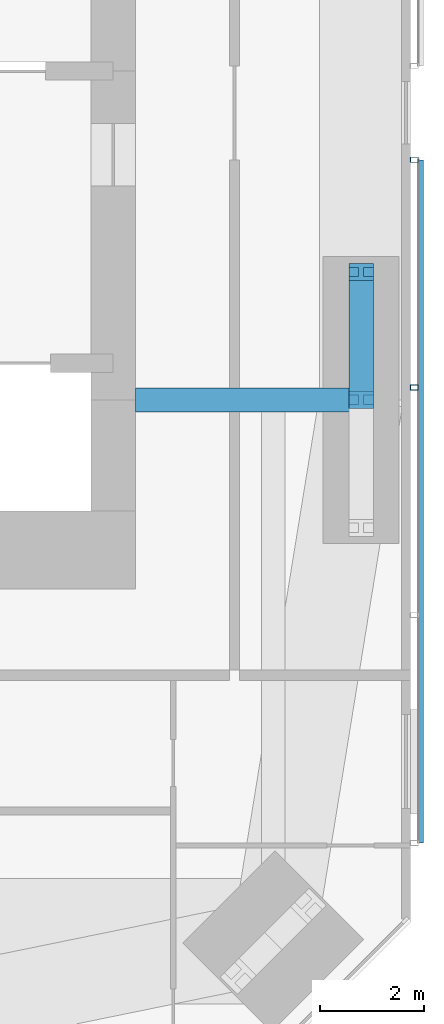
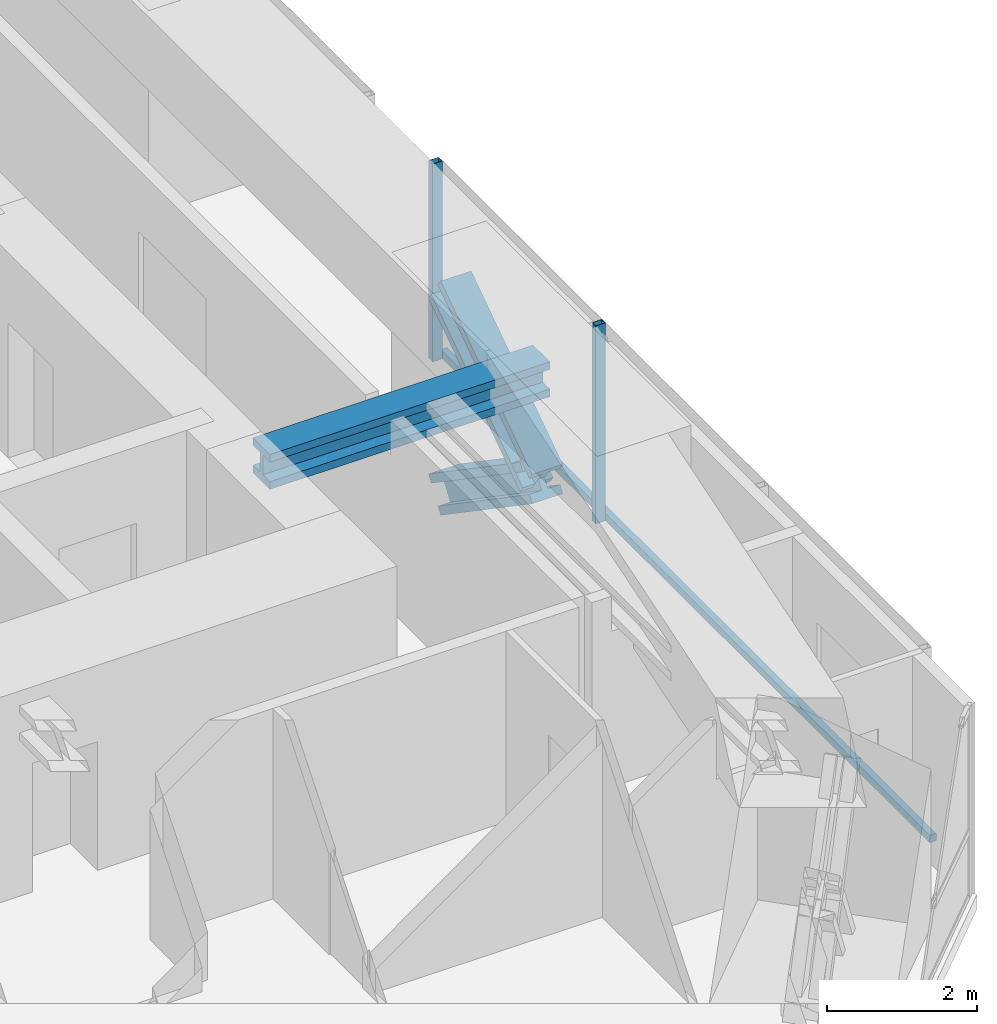
# One storey, part 9 of 24: 5 members, 1 beam, 1 element without a shape of its own.
"""IFC4 building model written with IfcOpenShell, lengths in metres."""

from ifc_helpers import new_model, si_unit, direction, frame, origin, origin_2d, place, context, subcontext, project, spatial, rectangle, hollow_rectangle, i_section, extrude, material, material_profile, profile_set, type_object, element, aggregate, save


model = new_model("IFC4")

# Units and contexts
model_context = context("Model", 3, precision=1e-05, world=origin(), true_north=direction((0.0, 1.0)))
body_context = subcontext(model_context, "Body", "Model", "MODEL_VIEW")
ifc_project = project(units=[si_unit("LENGTHUNIT", "METRE"), si_unit("AREAUNIT", "SQUARE_METRE"), si_unit("VOLUMEUNIT", "CUBIC_METRE"), si_unit("PLANEANGLEUNIT", "RADIAN"), si_unit("MASSUNIT", "GRAM", prefix="KILO")], contexts=[model_context])

# Site, building, storey
site_placement = place(None, origin())
site = spatial("IfcSite", under=ifc_project, at=site_placement, CompositionType="ELEMENT")
building_placement = place(site_placement, origin())
building = spatial("IfcBuilding", under=site, at=building_placement, Name="Jalousie Tower", CompositionType="ELEMENT")
storey_placement = place(building_placement, frame((0.0, 0.0, 124.949951171875)))
storey = spatial("IfcBuildingStorey", under=building, at=storey_placement, Name="L34", CompositionType="ELEMENT", Elevation=124.949951171875)

# Beam
ifc_material_1 = material(Name="Steel ASTM A992 Grade 50", Category="steel")
ifc_material_profile_1 = material_profile(ifc_material_1, i_section(OverallWidth=0.45458984375, OverallDepth=0.569091796875, WebThickness=0.077880859375, FlangeThickness=0.124755859375, at=origin_2d()), Name="W14X730")
ifc_profile_set_1 = profile_set([ifc_material_profile_1], Name="Steel ASTM A992 Grade 50")
beam_type = type_object("IfcBeamType", Name="LEAN COLLECTOR W14X730", PredefinedType="BEAM", material=ifc_profile_set_1)
beam_placement = place(storey_placement, frame((48.550048828125, 13.0, 2.825439453125), z_axis=(-1.0, 0.0, 0.0), x_axis=(0.0, -1.0, 0.0)))
element("IfcBeam", 1, at=beam_placement, inside=storey, type_object=beam_type, Name="Lean collector under L35", PredefinedType="BEAM", context=body_context, shape_type="SweptSolid", body=[
    extrude(i_section(OverallWidth=0.45458984375, OverallDepth=0.569091796875, WebThickness=0.077880859375, FlangeThickness=0.124755859375, at=origin_2d()), origin(), (0.0, 0.0, 1.0), 4.324951171875),
])

# Members
ifc_material_2 = material(Name="Steel ASTM A992 Grade 50", Category="steel")
ifc_material_profile_2 = material_profile(ifc_material_2, i_section(OverallWidth=0.472412109375, OverallDepth=0.5791015625, WebThickness=0.094970703125, FlangeThickness=0.1298828125, at=origin_2d()), Name="W14X808")
ifc_profile_set_2 = profile_set([ifc_material_profile_2], Name="Steel ASTM A992 Grade 50")
member_type_1 = type_object("IfcMemberType", Name="PERIMETER BRACE W14X808", PredefinedType="BRACE", material=ifc_profile_set_2)
for number, where, z_axis, x_axis, name in (
    (2, (48.550048828125, 13.0, 1.074951171875), (0.0, 0.825500916831, 0.564400776321), (-1.0, 0.0, 0.0), "Perimeter brace 06 L34 part 2"),
    (3, (48.550048828125, 15.449951171875, -0.599853515625), (0.0, -0.825539243753, 0.564344714713), (1.0, 0.0, 0.0), "Perimeter brace 06 L34 part 3"),
):
    element("IfcMember", number, at=place(storey_placement, frame(where, z_axis=z_axis, x_axis=x_axis)), inside=storey, type_object=member_type_1, Name=name, PredefinedType="BRACE", context=body_context, shape_type="SweptSolid", body=[
        extrude(i_section(OverallWidth=0.472412109375, OverallDepth=0.5791015625, WebThickness=0.094970703125, FlangeThickness=0.1298828125, at=origin_2d()), origin(), (0.0, 0.0, 1.0), 2.9677734375),
    ])

# Curtain wall, members
ifc_material_3 = material(Name="Perforated aluminium sheet", Category="aluminium")
curtain_wall_type = type_object("IfcCurtainWallType", Name="SOLAR SCREEN SS-1", PredefinedType="USERDEFINED", material=ifc_material_3)
curtain_wall_placement = place(storey_placement, origin())
curtain_wall = element("IfcCurtainWall", 4, at=curtain_wall_placement, inside=storey, type_object=curtain_wall_type, Name="Solar screen L34", ObjectType="SOLAR SCREEN SS-1", PredefinedType="USERDEFINED")
ifc_material_4 = material(Name="Steel ASTM A500 Grade C", Category="steel")
ifc_material_profile_3 = material_profile(ifc_material_4, hollow_rectangle(XDim=0.1015625, YDim=0.15234375, WallThickness=0.00634765625, at=origin_2d()), Name="HSS6X4X1/4")
ifc_profile_set_3 = profile_set([ifc_material_profile_3], Name="Steel ASTM A500 Grade C")
member_type_2 = type_object("IfcMemberType", Name="SOLAR SCREEN SS-1 MULLION", PredefinedType="MULLION", material=ifc_profile_set_3)
member_1_placement = place(storey_placement, frame((49.5712890625, 13.23779296875, -0.119873046875), z_axis=(0.0, 0.0, 1.0), x_axis=(0.0, 1.0, 0.0)))
member_1 = element("IfcMember", 5, at=member_1_placement, type_object=member_type_2, Name="SS1 post 3", PredefinedType="MULLION", context=body_context, shape_type="SweptSolid", body=[
    extrude(hollow_rectangle(XDim=0.1015625, YDim=0.15234375, WallThickness=0.00634765625, at=origin_2d()), origin(), (0.0, 0.0, 1.0), 3.22998046875),
])
member_2_placement = place(storey_placement, frame((49.5712890625, 17.60009765625, -0.119873046875), z_axis=(0.0, 0.0, 1.0), x_axis=(0.0, 1.0, 0.0)))
member_2 = element("IfcMember", 6, at=member_2_placement, type_object=member_type_2, Name="SS1 post 4", PredefinedType="MULLION", context=body_context, shape_type="SweptSolid", body=[
    extrude(hollow_rectangle(XDim=0.1015625, YDim=0.15234375, WallThickness=0.00634765625, at=origin_2d()), origin(), (0.0, 0.0, 1.0), 3.22998046875),
])
ifc_material_5 = material(Name="Extruded aluminium screen rail", Category="aluminium")
ifc_material_profile_4 = material_profile(ifc_material_5, rectangle(XDim=0.1015625, YDim=0.1201171875, at=origin_2d()), Name="RAIL 102x120")
ifc_profile_set_4 = profile_set([ifc_material_profile_4], Name="Extruded aluminium screen rail")
member_type_3 = type_object("IfcMemberType", Name="SOLAR SCREEN SS-1 TRANSOM", PredefinedType="USERDEFINED", material=ifc_profile_set_4)
member_3_placement = place(storey_placement, frame((49.6982421875, 4.513916015625, -0.06005859375), z_axis=(0.0, 1.0, 0.0), x_axis=(-1.0, 0.0, 0.0)))
member_3 = element("IfcMember", 7, at=member_3_placement, type_object=member_type_3, Name="SS1 rail", ObjectType="TRANSOM", PredefinedType="USERDEFINED", context=body_context, shape_type="SweptSolid", body=[
    extrude(rectangle(XDim=0.1015625, YDim=0.1201171875, at=origin_2d()), origin(), (0.0, 0.0, 1.0), 13.086181640625),
])
aggregate(curtain_wall, [member_1, member_2, member_3])

save(model, "model.ifc")
